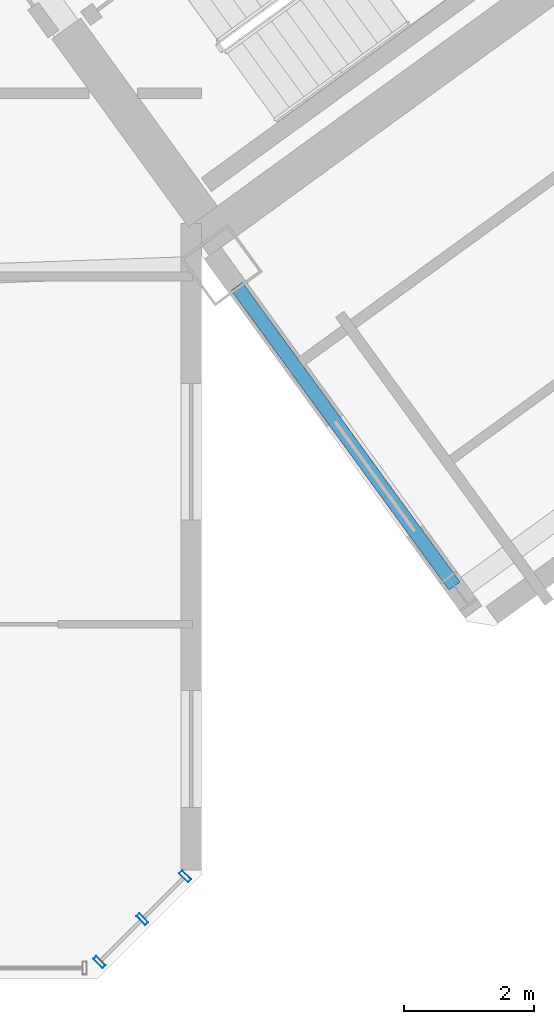
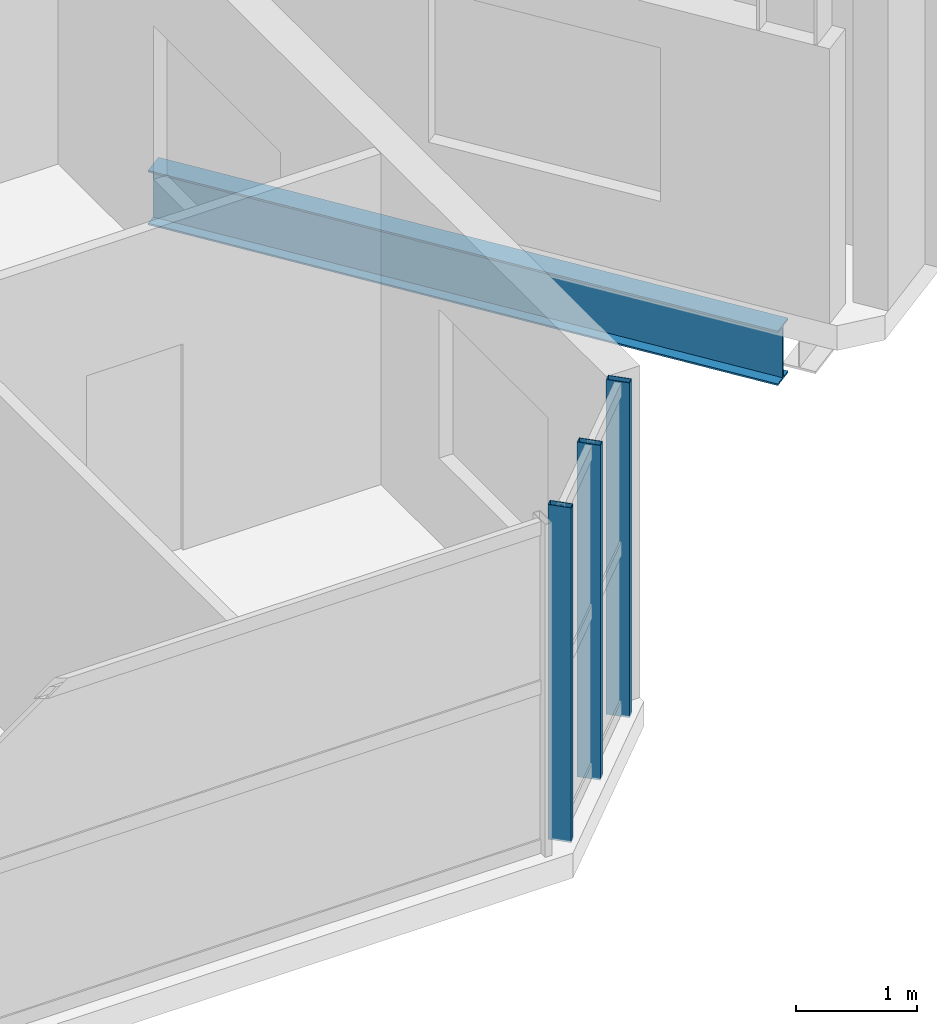
# One storey, part 10 of 25: 3 members, 1 beam, 1 element without a shape of its own.
"""IFC4 building model written with IfcOpenShell, lengths in metres."""

from ifc_helpers import new_model, si_unit, direction, frame, origin, origin_2d, place, context, subcontext, project, spatial, hollow_rectangle, i_section, extrude, source, transform, mapped, material, material_profile, profile_set, type_object, element, aggregate, save


model = new_model("IFC4")

# Units and contexts
model_context = context("Model", 3, precision=1e-05, world=origin(), true_north=direction((0.0, 1.0)))
body_context = subcontext(model_context, "Body", "Model", "MODEL_VIEW")
ifc_project = project(units=[si_unit("LENGTHUNIT", "METRE"), si_unit("AREAUNIT", "SQUARE_METRE"), si_unit("VOLUMEUNIT", "CUBIC_METRE"), si_unit("PLANEANGLEUNIT", "RADIAN"), si_unit("MASSUNIT", "GRAM", prefix="KILO")], contexts=[model_context])

# Site, building, storey
site_placement = place(None, origin())
site = spatial("IfcSite", under=ifc_project, at=site_placement, CompositionType="ELEMENT")
building_placement = place(site_placement, origin())
building = spatial("IfcBuilding", under=site, at=building_placement, Name="Tlacorven Tower", CompositionType="ELEMENT")
storey_placement = place(building_placement, frame((0.0, 0.0, 162.300048828125)))
storey = spatial("IfcBuildingStorey", under=building, at=storey_placement, Name="L41", CompositionType="ELEMENT", Elevation=162.300048828125)

# Beam
ifc_material_1 = material(Name="Steel S355J2", Category="steel")
ifc_material_profile_1 = material_profile(ifc_material_1, i_section(OverallWidth=0.2099609375, OverallDepth=0.550048828125, WebThickness=0.010986328125, FlangeThickness=0.01708984375, at=origin_2d()), Name="IPE 550")
ifc_profile_set_1 = profile_set([ifc_material_profile_1], Name="Steel S355J2")
beam_type = type_object("IfcBeamType", Name="BM-TWR-550", PredefinedType="BEAM", material=ifc_profile_set_1)
shared_shape_1 = source(origin(), body_context, "Body", "SweptSolid", [
    extrude(i_section(OverallWidth=0.2099609375, OverallDepth=0.550048828125, WebThickness=0.010986328125, FlangeThickness=0.01708984375, at=origin_2d()), origin(), (0.0, 0.0, 1.0), 5.699951171875),
])
beam_placement = place(storey_placement, frame((56.291015625, 7.83837890625, -0.525146484375), z_axis=(-0.587815099892, 0.808995307983, 0.0), x_axis=(-0.808995307983, -0.587815099892, 0.0)))
element("IfcBeam", 1, at=beam_placement, inside=storey, type_object=beam_type, Name="L41 beam BM-L41-ET1-1", PredefinedType="BEAM", context=body_context, shape_type="MappedRepresentation", body=[
    mapped(shared_shape_1, transform((0.0, 0.0, 0.0), scale=1.0)),
])

# Curtain wall, members
ifc_material_2 = material(Name="Dark solar low-E double glazing in aluminium frame", Category="aluminium")
curtain_wall_type = type_object("IfcCurtainWallType", Name="CW-TWR-MID", PredefinedType="USERDEFINED", material=ifc_material_2)
curtain_wall_placement = place(storey_placement, origin())
curtain_wall = element("IfcCurtainWall", 2, at=curtain_wall_placement, inside=storey, type_object=curtain_wall_type, Name="L41 CW-TWR-MID Curtain Wall 184", ObjectType="UNITISED CURTAIN WALL", PredefinedType="USERDEFINED")
ifc_material_3 = material(Name="Aluminium 6063-T6 anodised", Category="aluminium")
ifc_material_profile_2 = material_profile(ifc_material_3, hollow_rectangle(XDim=0.06494140625, YDim=0.199951171875, WallThickness=0.00439453125, at=origin_2d()), Name="ALU MULLION 65X200")
ifc_profile_set_2 = profile_set([ifc_material_profile_2], Name="Aluminium 6063-T6 anodised")
member_type = type_object("IfcMemberType", Name="CWM-02", PredefinedType="MULLION", material=ifc_profile_set_2)
shared_shape_2 = source(origin(), body_context, "Body", "SweptSolid", [
    extrude(hollow_rectangle(XDim=0.06494140625, YDim=0.199951171875, WallThickness=0.00439453125, at=origin_2d()), origin(), (0.0, 0.0, 1.0), 3.3798828125),
])
member_1_placement = place(storey_placement, frame((52.146240234375, 3.37255859375, -0.02001953125), z_axis=(0.0, 0.0, 1.0), x_axis=(-0.707106781187, -0.707106781187, 0.0)))
member_1 = element("IfcMember", 3, at=member_1_placement, type_object=member_type, Name="CW-L41-184 Mullion 1", PredefinedType="MULLION", context=body_context, shape_type="MappedRepresentation", body=[
    mapped(shared_shape_2, transform((0.0, 0.0, 0.0), scale=1.0)),
])
member_2_placement = place(storey_placement, frame((51.48681640625, 2.713134765625, -0.02001953125), z_axis=(0.0, 0.0, 1.0), x_axis=(-0.707106781187, -0.707106781187, 0.0)))
member_2 = element("IfcMember", 4, at=member_2_placement, type_object=member_type, Name="CW-L41-184 Mullion 2", PredefinedType="MULLION", context=body_context, shape_type="MappedRepresentation", body=[
    mapped(shared_shape_2, transform((0.0, 0.0, 0.0), scale=1.0)),
])
member_3_placement = place(storey_placement, frame((50.827392578125, 2.0537109375, -0.02001953125), z_axis=(0.0, 0.0, 1.0), x_axis=(-0.707106781187, -0.707106781187, 0.0)))
member_3 = element("IfcMember", 5, at=member_3_placement, type_object=member_type, Name="CW-L41-184 Mullion 3", PredefinedType="MULLION", context=body_context, shape_type="MappedRepresentation", body=[
    mapped(shared_shape_2, transform((0.0, 0.0, 0.0), scale=1.0)),
])
aggregate(curtain_wall, [member_1, member_2, member_3])

save(model, "model.ifc")
